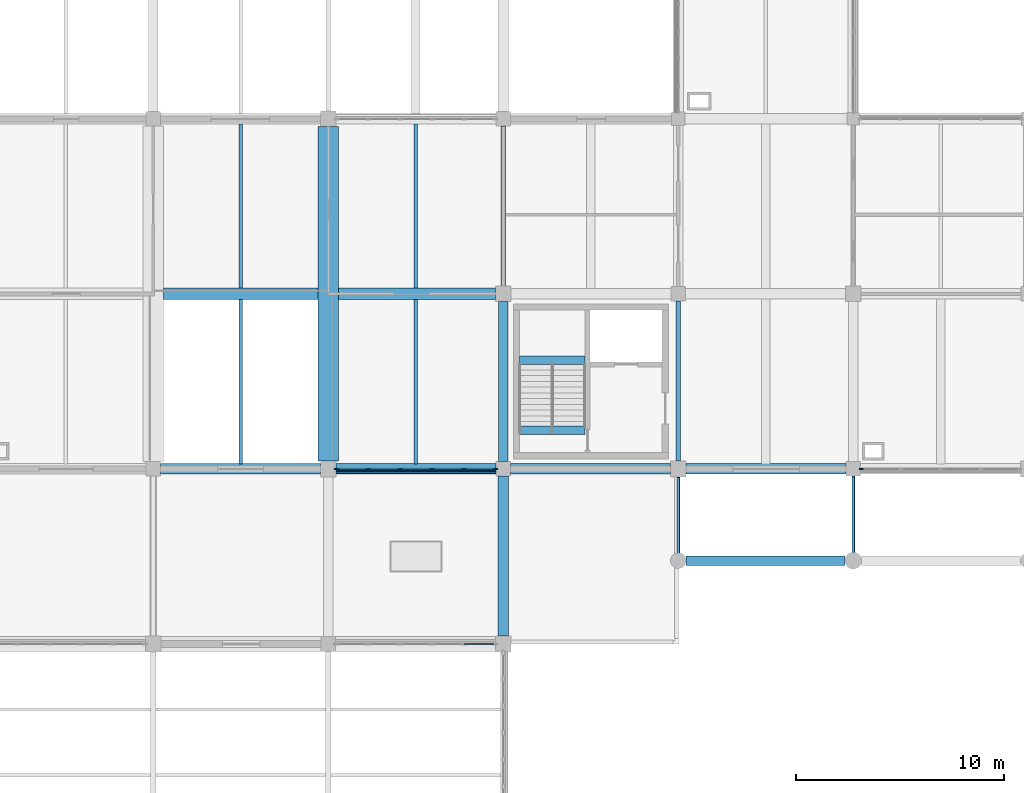
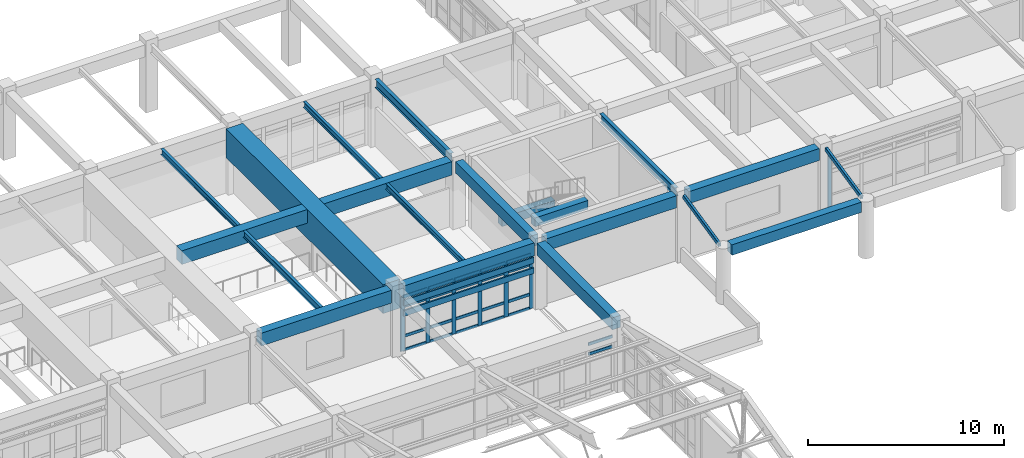
# One storey, part 19 of 99: 33 members, 18 beams, 3 elements without a shape of their own.
"""IFC4 building model written with IfcOpenShell, lengths in metres."""

from ifc_helpers import new_model, si_unit, direction, frame, origin, origin_2d, place, context, subcontext, project, spatial, rectangle, hollow_rectangle, i_section, extrude, material, layer, layer_set, material_profile, profile_set, type_object, element, aggregate, save


model = new_model("IFC4")

# Units and contexts
model_context = context("Model", 3, precision=1e-05, world=origin(), true_north=direction((0.0, 1.0)))
body_context = subcontext(model_context, "Body", "Model", "MODEL_VIEW")
ifc_project = project(units=[si_unit("LENGTHUNIT", "METRE"), si_unit("AREAUNIT", "SQUARE_METRE"), si_unit("VOLUMEUNIT", "CUBIC_METRE"), si_unit("PLANEANGLEUNIT", "RADIAN"), si_unit("MASSUNIT", "GRAM", prefix="KILO")], contexts=[model_context])

# Site, building, storey
site_placement = place(None, origin())
site = spatial("IfcSite", under=ifc_project, at=site_placement, CompositionType="ELEMENT")
building_placement = place(site_placement, origin())
building = spatial("IfcBuilding", under=site, at=building_placement, Name="Porcellanite Civic Hall", CompositionType="ELEMENT")
storey_placement = place(building_placement, frame((0.0, 0.0, 5.760009765625)))
storey = spatial("IfcBuildingStorey", under=building, at=storey_placement, Name="L01", CompositionType="ELEMENT", Elevation=5.760009765625)

# Beams
ifc_material_1 = material(Name="Concrete N50 (50 MPa)", Category="concrete")
ifc_material_profile_1 = material_profile(ifc_material_1, rectangle(XDim=0.39990234375, YDim=0.550048828125, at=origin_2d()), Name="RC-400x550")
ifc_profile_set_1 = profile_set([ifc_material_profile_1], Name="Concrete N50 (50 MPa)")
beam_type_1 = type_object("IfcBeamType", Name="BM-RC550", PredefinedType="JOIST", material=ifc_profile_set_1)
for number, where, z_axis, x_axis, name in (
    (1, (109.98046875, 55.625, 1.885009765625), (1.0, 0.0, 0.0), (0.0, 1.0, 0.0), "Stair landing beam C6 L01"),
    (2, (109.98046875, 52.25, 3.925048828125), (1.0, 0.0, 0.0), (0.0, 1.0, 0.0), "Stair header beam C6 L01"),
):
    element("IfcBeam", number, at=place(storey_placement, frame(where, z_axis=z_axis, x_axis=x_axis)), inside=storey, type_object=beam_type_1, Name=name, PredefinedType="JOIST", context=body_context, shape_type="SweptSolid", body=[
        extrude(rectangle(XDim=0.39990234375, YDim=0.550048828125, at=origin_2d()), origin(), (0.0, 0.0, 1.0), 3.138916015625),
    ])
ifc_material_2 = material(Name="Concrete N50 (50 MPa)", Category="concrete")
ifc_material_profile_2 = material_profile(ifc_material_2, rectangle(XDim=0.449951171875, YDim=0.64990234375, at=origin_2d()), Name="RC-450x650")
ifc_profile_set_2 = profile_set([ifc_material_profile_2], Name="Concrete N50 (50 MPa)")
beam_type_2 = type_object("IfcBeamType", Name="BM-RC650", PredefinedType="SPANDREL", material=ifc_profile_set_2)
beam_1_placement = place(storey_placement, frame((117.974609375, 46.0, 3.205078125), z_axis=(1.0, 0.0, 0.0), x_axis=(0.0, 1.0, 0.0)))
element("IfcBeam", 3, at=beam_1_placement, inside=storey, type_object=beam_type_2, Name="Colonnade keystone beam L01 COL-NE-P01", PredefinedType="SPANDREL", context=body_context, shape_type="SweptSolid", body=[
    extrude(rectangle(XDim=0.449951171875, YDim=0.64990234375, at=origin_2d()), origin(), (0.0, 0.0, 1.0), 7.6259765625),
])
ifc_material_3 = material(Name="Concrete N50 (50 MPa)", Category="concrete")
ifc_material_profile_3 = material_profile(ifc_material_3, rectangle(XDim=0.449951171875, YDim=0.699951171875, at=origin_2d()), Name="RC-450x700")
ifc_profile_set_3 = profile_set([ifc_material_profile_3], Name="Concrete N50 (50 MPa)")
beam_type_3 = type_object("IfcBeamType", Name="BM-RC700", PredefinedType="BEAM", material=ifc_profile_set_3)
beam_2_placement = place(storey_placement, frame((109.199951171875, 50.74951171875, 3.85009765625), z_axis=(0.0, 1.0, 0.0), x_axis=(-1.0, 0.0, 0.0)))
element("IfcBeam", 4, at=beam_2_placement, inside=storey, type_object=beam_type_3, Name="Beam Y L01 14-7", PredefinedType="BEAM", context=body_context, shape_type="SweptSolid", body=[
    extrude(rectangle(XDim=0.449951171875, YDim=0.699951171875, at=origin_2d()), origin(), (0.0, 0.0, 1.0), 7.676025390625),
])
ifc_material_4 = material(Name="Concrete N50 (50 MPa)", Category="concrete")
ifc_material_profile_4 = material_profile(ifc_material_4, rectangle(XDim=0.5, YDim=0.75, at=origin_2d()), Name="RC-500x750")
ifc_profile_set_4 = profile_set([ifc_material_profile_4], Name="Concrete N50 (50 MPa)")
beam_type_4 = type_object("IfcBeamType", Name="BM-RC750", PredefinedType="SPANDREL", material=ifc_profile_set_4)
beam_3_placement = place(storey_placement, frame((109.549560546875, 50.39990234375, 3.824951171875), z_axis=(1.0, 0.0, 0.0), x_axis=(0.0, 1.0, 0.0)))
element("IfcBeam", 5, at=beam_3_placement, inside=storey, type_object=beam_type_4, Name="Beam X L01 14-7", PredefinedType="SPANDREL", context=body_context, shape_type="SweptSolid", body=[
    extrude(rectangle(XDim=0.5, YDim=0.75, at=origin_2d()), origin(), (0.0, 0.0, 1.0), 7.676025390625),
])
beam_4_placement = place(storey_placement, frame((117.974609375, 50.39990234375, 3.824951171875), z_axis=(1.0, 0.0, 0.0), x_axis=(0.0, 1.0, 0.0)))
element("IfcBeam", 6, at=beam_4_placement, inside=storey, type_object=beam_type_4, Name="Beam X L01 15-7", PredefinedType="SPANDREL", context=body_context, shape_type="SweptSolid", body=[
    extrude(rectangle(XDim=0.5, YDim=0.75, at=origin_2d()), origin(), (0.0, 0.0, 1.0), 7.67578125),
])
beam_5_placement = place(storey_placement, frame((109.199951171875, 42.37451171875, 3.824951171875), z_axis=(0.0, 1.0, 0.0), x_axis=(-1.0, 0.0, 0.0)))
element("IfcBeam", 7, at=beam_5_placement, inside=storey, type_object=beam_type_4, Name="Beam Y L01 14-6", PredefinedType="SPANDREL", context=body_context, shape_type="SweptSolid", body=[
    extrude(rectangle(XDim=0.5, YDim=0.75, at=origin_2d()), origin(), (0.0, 0.0, 1.0), 7.676025390625),
])
ifc_material_5 = material(Name="Concrete N50 (50 MPa)", Category="concrete")
ifc_material_profile_5 = material_profile(ifc_material_5, rectangle(XDim=0.5, YDim=0.800048828125, at=origin_2d()), Name="RC-500x800")
ifc_profile_set_5 = profile_set([ifc_material_profile_5], Name="Concrete N50 (50 MPa)")
beam_type_5 = type_object("IfcBeamType", Name="BM-RC800", PredefinedType="BEAM", material=ifc_profile_set_5)
for number, where, z_axis, x_axis, name in (
    (8, (92.74951171875, 50.39990234375, 3.800048828125), (1.0, 0.0, 0.0), (0.0, 1.0, 0.0), "Beam X L01 12-7"),
    (9, (101.174560546875, 50.39990234375, 3.800048828125), (1.0, 0.0, 0.0), (0.0, 1.0, 0.0), "Beam X L01 13-7"),
):
    element("IfcBeam", number, at=place(storey_placement, frame(where, z_axis=z_axis, x_axis=x_axis)), inside=storey, type_object=beam_type_5, Name=name, PredefinedType="BEAM", context=body_context, shape_type="SweptSolid", body=[
        extrude(rectangle(XDim=0.5, YDim=0.800048828125, at=origin_2d()), origin(), (0.0, 0.0, 1.0), 7.676025390625),
    ])
ifc_material_6 = material(Name="Concrete N50 (50 MPa)", Category="concrete")
ifc_material_profile_6 = material_profile(ifc_material_6, rectangle(XDim=0.550048828125, YDim=0.85009765625, at=origin_2d()), Name="RC-550x850")
ifc_profile_set_6 = profile_set([ifc_material_profile_6], Name="Concrete N50 (50 MPa)")
beam_type_6 = type_object("IfcBeamType", Name="BM-RC850", PredefinedType="BEAM", material=ifc_profile_set_6)
beam_6_placement = place(storey_placement, frame((92.8994140625, 58.800048828125, 3.77490234375), z_axis=(1.0, 0.0, 0.0), x_axis=(0.0, 1.0, 0.0)))
element("IfcBeam", 10, at=beam_6_placement, inside=storey, type_object=beam_type_6, Name="Transfer tie beam 11", PredefinedType="BEAM", context=body_context, shape_type="SweptSolid", body=[
    extrude(rectangle(XDim=0.550048828125, YDim=0.85009765625, at=origin_2d()), origin(), (0.0, 0.0, 1.0), 7.401123046875),
])
beam_7_placement = place(storey_placement, frame((101.299560546875, 58.800048828125, 3.77490234375), z_axis=(1.0, 0.0, 0.0), x_axis=(0.0, 1.0, 0.0)))
element("IfcBeam", 11, at=beam_7_placement, inside=storey, type_object=beam_type_6, Name="Transfer tie beam 12", PredefinedType="BEAM", context=body_context, shape_type="SweptSolid", body=[
    extrude(rectangle(XDim=0.550048828125, YDim=0.85009765625, at=origin_2d()), origin(), (0.0, 0.0, 1.0), 7.52587890625),
])

# Curtain wall, members
ifc_material_7 = material(Name="Anodised aluminium and solar laminated glass", Category="aluminium")
ifc_layer_1 = layer(ifc_material_7, 0.179931640625)
ifc_layer_set_1 = layer_set([ifc_layer_1], Name="Anodised aluminium and solar laminated glass")
curtain_wall_type_1 = type_object("IfcCurtainWallType", Name="CW-SYS01", PredefinedType="NOTDEFINED", material=ifc_layer_set_1)
curtain_wall_1_placement = place(storey_placement, origin())
curtain_wall_1 = element("IfcCurtainWall", 12, at=curtain_wall_1_placement, inside=storey, type_object=curtain_wall_type_1, Name="Curtain wall CW-102", PredefinedType="NOTDEFINED")
ifc_material_8 = material(Name="Anodised aluminium 6063-T6", Category="aluminium")
ifc_material_profile_7 = material_profile(ifc_material_8, rectangle(XDim=0.080078125, YDim=0.239990234375, at=origin_2d()), Name="AL-80x240")
ifc_profile_set_7 = profile_set([ifc_material_profile_7], Name="Anodised aluminium 6063-T6")
member_type_1 = type_object("IfcMemberType", Name="CWM-01", PredefinedType="MULLION", material=ifc_profile_set_7)
member_1_placement = place(storey_placement, frame((108.80908203125, 50.39990234375, 0.0), z_axis=(0.0, 0.0, 1.0), x_axis=(0.0, -1.0, 0.0)))
member_1 = element("IfcMember", 13, at=member_1_placement, type_object=member_type_1, Name="CW-102 mullion 1", PredefinedType="MULLION", context=body_context, shape_type="SweptSolid", body=[
    extrude(rectangle(XDim=0.080078125, YDim=0.239990234375, at=origin_2d()), origin(), (0.0, 0.0, 1.0), 3.39990234375),
])
member_2_placement = place(storey_placement, frame((107.314453125, 50.39990234375, 0.0), z_axis=(0.0, 0.0, 1.0), x_axis=(0.0, -1.0, 0.0)))
member_2 = element("IfcMember", 14, at=member_2_placement, type_object=member_type_1, Name="CW-102 mullion 2", PredefinedType="MULLION", context=body_context, shape_type="SweptSolid", body=[
    extrude(rectangle(XDim=0.080078125, YDim=0.239990234375, at=origin_2d()), origin(), (0.0, 0.0, 1.0), 3.39990234375),
])
member_3_placement = place(storey_placement, frame((105.77978515625, 50.39990234375, 0.0), z_axis=(0.0, 0.0, 1.0), x_axis=(0.0, -1.0, 0.0)))
member_3 = element("IfcMember", 15, at=member_3_placement, type_object=member_type_1, Name="CW-102 mullion 3", PredefinedType="MULLION", context=body_context, shape_type="SweptSolid", body=[
    extrude(rectangle(XDim=0.080078125, YDim=0.239990234375, at=origin_2d()), origin(), (0.0, 0.0, 1.0), 3.39990234375),
])
member_4_placement = place(storey_placement, frame((104.2451171875, 50.39990234375, 0.0), z_axis=(0.0, 0.0, 1.0), x_axis=(0.0, -1.0, 0.0)))
member_4 = element("IfcMember", 16, at=member_4_placement, type_object=member_type_1, Name="CW-102 mullion 4", PredefinedType="MULLION", context=body_context, shape_type="SweptSolid", body=[
    extrude(rectangle(XDim=0.080078125, YDim=0.239990234375, at=origin_2d()), origin(), (0.0, 0.0, 1.0), 3.39990234375),
])
member_5_placement = place(storey_placement, frame((102.710693359375, 50.39990234375, 0.0), z_axis=(0.0, 0.0, 1.0), x_axis=(0.0, -1.0, 0.0)))
member_5 = element("IfcMember", 17, at=member_5_placement, type_object=member_type_1, Name="CW-102 mullion 5", PredefinedType="MULLION", context=body_context, shape_type="SweptSolid", body=[
    extrude(rectangle(XDim=0.080078125, YDim=0.239990234375, at=origin_2d()), origin(), (0.0, 0.0, 1.0), 3.39990234375),
])
member_6_placement = place(storey_placement, frame((101.216064453125, 50.39990234375, 0.0), z_axis=(0.0, 0.0, 1.0), x_axis=(0.0, -1.0, 0.0)))
member_6 = element("IfcMember", 18, at=member_6_placement, type_object=member_type_1, Name="CW-102 mullion 6", PredefinedType="MULLION", context=body_context, shape_type="SweptSolid", body=[
    extrude(rectangle(XDim=0.080078125, YDim=0.239990234375, at=origin_2d()), origin(), (0.0, 0.0, 1.0), 3.39990234375),
])

# Curtain wall, member
ifc_material_9 = material(Name="Anodised aluminium and solar laminated glass", Category="aluminium")
ifc_layer_2 = layer(ifc_material_9, 0.179931640625)
ifc_layer_set_2 = layer_set([ifc_layer_2], Name="Anodised aluminium and solar laminated glass")
curtain_wall_type_2 = type_object("IfcCurtainWallType", Name="CW-SYS04", PredefinedType="NOTDEFINED", material=ifc_layer_set_2)
curtain_wall_2_placement = place(storey_placement, origin())
curtain_wall_2 = element("IfcCurtainWall", 19, at=curtain_wall_2_placement, inside=storey, type_object=curtain_wall_type_2, Name="Curtain wall CW-115", PredefinedType="NOTDEFINED")
ifc_material_10 = material(Name="Anodised aluminium 6063-T6", Category="aluminium")
ifc_material_profile_8 = material_profile(ifc_material_10, rectangle(XDim=0.074951171875, YDim=0.18994140625, at=origin_2d()), Name="AL-75x190")
ifc_profile_set_8 = profile_set([ifc_material_profile_8], Name="Anodised aluminium 6063-T6")
member_type_2 = type_object("IfcMemberType", Name="CWM-04", PredefinedType="MULLION", material=ifc_profile_set_8)
member_7_placement = place(storey_placement, frame((126.388427734375, 50.39990234375, 0.0), z_axis=(0.0, 0.0, 1.0), x_axis=(0.0, -1.0, 0.0)))
member_7 = element("IfcMember", 20, at=member_7_placement, type_object=member_type_2, Name="CW-115 mullion 5", PredefinedType="MULLION", context=body_context, shape_type="SweptSolid", body=[
    extrude(rectangle(XDim=0.074951171875, YDim=0.18994140625, at=origin_2d()), origin(), (0.0, 0.0, 1.0), 3.39990234375),
])
aggregate(curtain_wall_2, [member_7])

# Curtain wall, members
curtain_wall_3_placement = place(storey_placement, origin())
curtain_wall_3 = element("IfcCurtainWall", 21, at=curtain_wall_3_placement, inside=storey, type_object=curtain_wall_type_1, Name="Curtain wall CW-100", PredefinedType="NOTDEFINED")
ifc_material_11 = material(Name="Anodised aluminium 6063-T6", Category="aluminium")
ifc_material_profile_9 = material_profile(ifc_material_11, rectangle(XDim=0.070068359375, YDim=0.175048828125, at=origin_2d()), Name="AL-70x175")
ifc_profile_set_9 = profile_set([ifc_material_profile_9], Name="Anodised aluminium 6063-T6")
member_type_3 = type_object("IfcMemberType", Name="CWT-01", PredefinedType="USERDEFINED", material=ifc_profile_set_9)
member_8_placement = place(storey_placement, frame((107.329345703125, 42.0, 2.75), z_axis=(1.0, 0.0, 0.0), x_axis=(0.0, 1.0, 0.0)))
member_8 = element("IfcMember", 22, at=member_8_placement, type_object=member_type_3, Name="CW-100 transom 5.3", ObjectType="TRANSOM", PredefinedType="USERDEFINED", context=body_context, shape_type="SweptSolid", body=[
    extrude(rectangle(XDim=0.070068359375, YDim=0.175048828125, at=origin_2d()), origin(), (0.0, 0.0, 1.0), 1.41455078125),
])
member_9_placement = place(storey_placement, frame((107.329345703125, 42.0, 3.364990234375), z_axis=(1.0, 0.0, 0.0), x_axis=(0.0, 1.0, 0.0)))
member_9 = element("IfcMember", 23, at=member_9_placement, type_object=member_type_3, Name="CW-100 transom 5.4", ObjectType="TRANSOM", PredefinedType="USERDEFINED", context=body_context, shape_type="SweptSolid", body=[
    extrude(rectangle(XDim=0.070068359375, YDim=0.175048828125, at=origin_2d()), origin(), (0.0, 0.0, 1.0), 1.41455078125),
])
aggregate(curtain_wall_3, [member_8, member_9])

# Member
member_10_placement = place(storey_placement, frame((108.76904296875, 50.39990234375, 0.034912109375), z_axis=(-1.0, 0.0, 0.0), x_axis=(0.0, -1.0, 0.0)))
member_10 = element("IfcMember", 24, at=member_10_placement, type_object=member_type_3, Name="CW-102 transom 1.1", ObjectType="TRANSOM", PredefinedType="USERDEFINED", context=body_context, shape_type="SweptSolid", body=[
    extrude(rectangle(XDim=0.070068359375, YDim=0.175048828125, at=origin_2d()), origin(), (0.0, 0.0, 1.0), 1.41455078125),
])

member_11_placement = place(storey_placement, frame((108.76904296875, 50.39990234375, 0.89990234375), z_axis=(-1.0, 0.0, 0.0), x_axis=(0.0, -1.0, 0.0)))
member_11 = element("IfcMember", 25, at=member_11_placement, type_object=member_type_3, Name="CW-102 transom 1.2", ObjectType="TRANSOM", PredefinedType="USERDEFINED", context=body_context, shape_type="SweptSolid", body=[
    extrude(rectangle(XDim=0.070068359375, YDim=0.175048828125, at=origin_2d()), origin(), (0.0, 0.0, 1.0), 1.41455078125),
])

member_12_placement = place(storey_placement, frame((108.76904296875, 50.39990234375, 2.75), z_axis=(-1.0, 0.0, 0.0), x_axis=(0.0, -1.0, 0.0)))
member_12 = element("IfcMember", 26, at=member_12_placement, type_object=member_type_3, Name="CW-102 transom 1.3", ObjectType="TRANSOM", PredefinedType="USERDEFINED", context=body_context, shape_type="SweptSolid", body=[
    extrude(rectangle(XDim=0.070068359375, YDim=0.175048828125, at=origin_2d()), origin(), (0.0, 0.0, 1.0), 1.41455078125),
])

member_13_placement = place(storey_placement, frame((108.76904296875, 50.39990234375, 3.364990234375), z_axis=(-1.0, 0.0, 0.0), x_axis=(0.0, -1.0, 0.0)))
member_13 = element("IfcMember", 27, at=member_13_placement, type_object=member_type_3, Name="CW-102 transom 1.4", ObjectType="TRANSOM", PredefinedType="USERDEFINED", context=body_context, shape_type="SweptSolid", body=[
    extrude(rectangle(XDim=0.070068359375, YDim=0.175048828125, at=origin_2d()), origin(), (0.0, 0.0, 1.0), 1.41455078125),
])

member_14_placement = place(storey_placement, frame((107.2744140625, 50.39990234375, 0.034912109375), z_axis=(-1.0, 0.0, 0.0), x_axis=(0.0, -1.0, 0.0)))
member_14 = element("IfcMember", 28, at=member_14_placement, type_object=member_type_3, Name="CW-102 transom 2.1", ObjectType="TRANSOM", PredefinedType="USERDEFINED", context=body_context, shape_type="SweptSolid", body=[
    extrude(rectangle(XDim=0.070068359375, YDim=0.175048828125, at=origin_2d()), origin(), (0.0, 0.0, 1.0), 1.45458984375),
])

member_15_placement = place(storey_placement, frame((107.2744140625, 50.39990234375, 0.89990234375), z_axis=(-1.0, 0.0, 0.0), x_axis=(0.0, -1.0, 0.0)))
member_15 = element("IfcMember", 29, at=member_15_placement, type_object=member_type_3, Name="CW-102 transom 2.2", ObjectType="TRANSOM", PredefinedType="USERDEFINED", context=body_context, shape_type="SweptSolid", body=[
    extrude(rectangle(XDim=0.070068359375, YDim=0.175048828125, at=origin_2d()), origin(), (0.0, 0.0, 1.0), 1.45458984375),
])

member_16_placement = place(storey_placement, frame((107.2744140625, 50.39990234375, 2.75), z_axis=(-1.0, 0.0, 0.0), x_axis=(0.0, -1.0, 0.0)))
member_16 = element("IfcMember", 30, at=member_16_placement, type_object=member_type_3, Name="CW-102 transom 2.3", ObjectType="TRANSOM", PredefinedType="USERDEFINED", context=body_context, shape_type="SweptSolid", body=[
    extrude(rectangle(XDim=0.070068359375, YDim=0.175048828125, at=origin_2d()), origin(), (0.0, 0.0, 1.0), 1.45458984375),
])

member_17_placement = place(storey_placement, frame((107.2744140625, 50.39990234375, 3.364990234375), z_axis=(-1.0, 0.0, 0.0), x_axis=(0.0, -1.0, 0.0)))
member_17 = element("IfcMember", 31, at=member_17_placement, type_object=member_type_3, Name="CW-102 transom 2.4", ObjectType="TRANSOM", PredefinedType="USERDEFINED", context=body_context, shape_type="SweptSolid", body=[
    extrude(rectangle(XDim=0.070068359375, YDim=0.175048828125, at=origin_2d()), origin(), (0.0, 0.0, 1.0), 1.45458984375),
])

member_18_placement = place(storey_placement, frame((105.73974609375, 50.39990234375, 0.034912109375), z_axis=(-1.0, 0.0, 0.0), x_axis=(0.0, -1.0, 0.0)))
member_18 = element("IfcMember", 32, at=member_18_placement, type_object=member_type_3, Name="CW-102 transom 3.1", ObjectType="TRANSOM", PredefinedType="USERDEFINED", context=body_context, shape_type="SweptSolid", body=[
    extrude(rectangle(XDim=0.070068359375, YDim=0.175048828125, at=origin_2d()), origin(), (0.0, 0.0, 1.0), 1.45458984375),
])

member_19_placement = place(storey_placement, frame((105.73974609375, 50.39990234375, 0.89990234375), z_axis=(-1.0, 0.0, 0.0), x_axis=(0.0, -1.0, 0.0)))
member_19 = element("IfcMember", 33, at=member_19_placement, type_object=member_type_3, Name="CW-102 transom 3.2", ObjectType="TRANSOM", PredefinedType="USERDEFINED", context=body_context, shape_type="SweptSolid", body=[
    extrude(rectangle(XDim=0.070068359375, YDim=0.175048828125, at=origin_2d()), origin(), (0.0, 0.0, 1.0), 1.45458984375),
])

member_20_placement = place(storey_placement, frame((105.73974609375, 50.39990234375, 2.75), z_axis=(-1.0, 0.0, 0.0), x_axis=(0.0, -1.0, 0.0)))
member_20 = element("IfcMember", 34, at=member_20_placement, type_object=member_type_3, Name="CW-102 transom 3.3", ObjectType="TRANSOM", PredefinedType="USERDEFINED", context=body_context, shape_type="SweptSolid", body=[
    extrude(rectangle(XDim=0.070068359375, YDim=0.175048828125, at=origin_2d()), origin(), (0.0, 0.0, 1.0), 1.45458984375),
])

member_21_placement = place(storey_placement, frame((105.73974609375, 50.39990234375, 3.364990234375), z_axis=(-1.0, 0.0, 0.0), x_axis=(0.0, -1.0, 0.0)))
member_21 = element("IfcMember", 35, at=member_21_placement, type_object=member_type_3, Name="CW-102 transom 3.4", ObjectType="TRANSOM", PredefinedType="USERDEFINED", context=body_context, shape_type="SweptSolid", body=[
    extrude(rectangle(XDim=0.070068359375, YDim=0.175048828125, at=origin_2d()), origin(), (0.0, 0.0, 1.0), 1.45458984375),
])

member_22_placement = place(storey_placement, frame((104.205078125, 50.39990234375, 0.034912109375), z_axis=(-1.0, 0.0, 0.0), x_axis=(0.0, -1.0, 0.0)))
member_22 = element("IfcMember", 36, at=member_22_placement, type_object=member_type_3, Name="CW-102 transom 4.1", ObjectType="TRANSOM", PredefinedType="USERDEFINED", context=body_context, shape_type="SweptSolid", body=[
    extrude(rectangle(XDim=0.070068359375, YDim=0.175048828125, at=origin_2d()), origin(), (0.0, 0.0, 1.0), 1.45458984375),
])

member_23_placement = place(storey_placement, frame((104.205078125, 50.39990234375, 0.89990234375), z_axis=(-1.0, 0.0, 0.0), x_axis=(0.0, -1.0, 0.0)))
member_23 = element("IfcMember", 37, at=member_23_placement, type_object=member_type_3, Name="CW-102 transom 4.2", ObjectType="TRANSOM", PredefinedType="USERDEFINED", context=body_context, shape_type="SweptSolid", body=[
    extrude(rectangle(XDim=0.070068359375, YDim=0.175048828125, at=origin_2d()), origin(), (0.0, 0.0, 1.0), 1.45458984375),
])

member_24_placement = place(storey_placement, frame((104.205078125, 50.39990234375, 2.75), z_axis=(-1.0, 0.0, 0.0), x_axis=(0.0, -1.0, 0.0)))
member_24 = element("IfcMember", 38, at=member_24_placement, type_object=member_type_3, Name="CW-102 transom 4.3", ObjectType="TRANSOM", PredefinedType="USERDEFINED", context=body_context, shape_type="SweptSolid", body=[
    extrude(rectangle(XDim=0.070068359375, YDim=0.175048828125, at=origin_2d()), origin(), (0.0, 0.0, 1.0), 1.45458984375),
])

member_25_placement = place(storey_placement, frame((104.205078125, 50.39990234375, 3.364990234375), z_axis=(-1.0, 0.0, 0.0), x_axis=(0.0, -1.0, 0.0)))
member_25 = element("IfcMember", 39, at=member_25_placement, type_object=member_type_3, Name="CW-102 transom 4.4", ObjectType="TRANSOM", PredefinedType="USERDEFINED", context=body_context, shape_type="SweptSolid", body=[
    extrude(rectangle(XDim=0.070068359375, YDim=0.175048828125, at=origin_2d()), origin(), (0.0, 0.0, 1.0), 1.45458984375),
])

member_26_placement = place(storey_placement, frame((102.670654296875, 50.39990234375, 0.034912109375), z_axis=(-1.0, 0.0, 0.0), x_axis=(0.0, -1.0, 0.0)))
member_26 = element("IfcMember", 40, at=member_26_placement, type_object=member_type_3, Name="CW-102 transom 5.1", ObjectType="TRANSOM", PredefinedType="USERDEFINED", context=body_context, shape_type="SweptSolid", body=[
    extrude(rectangle(XDim=0.070068359375, YDim=0.175048828125, at=origin_2d()), origin(), (0.0, 0.0, 1.0), 1.41455078125),
])

member_27_placement = place(storey_placement, frame((102.670654296875, 50.39990234375, 0.89990234375), z_axis=(-1.0, 0.0, 0.0), x_axis=(0.0, -1.0, 0.0)))
member_27 = element("IfcMember", 41, at=member_27_placement, type_object=member_type_3, Name="CW-102 transom 5.2", ObjectType="TRANSOM", PredefinedType="USERDEFINED", context=body_context, shape_type="SweptSolid", body=[
    extrude(rectangle(XDim=0.070068359375, YDim=0.175048828125, at=origin_2d()), origin(), (0.0, 0.0, 1.0), 1.41455078125),
])

member_28_placement = place(storey_placement, frame((102.670654296875, 50.39990234375, 2.75), z_axis=(-1.0, 0.0, 0.0), x_axis=(0.0, -1.0, 0.0)))
member_28 = element("IfcMember", 42, at=member_28_placement, type_object=member_type_3, Name="CW-102 transom 5.3", ObjectType="TRANSOM", PredefinedType="USERDEFINED", context=body_context, shape_type="SweptSolid", body=[
    extrude(rectangle(XDim=0.070068359375, YDim=0.175048828125, at=origin_2d()), origin(), (0.0, 0.0, 1.0), 1.41455078125),
])

member_29_placement = place(storey_placement, frame((102.670654296875, 50.39990234375, 3.364990234375), z_axis=(-1.0, 0.0, 0.0), x_axis=(0.0, -1.0, 0.0)))
member_29 = element("IfcMember", 43, at=member_29_placement, type_object=member_type_3, Name="CW-102 transom 5.4", ObjectType="TRANSOM", PredefinedType="USERDEFINED", context=body_context, shape_type="SweptSolid", body=[
    extrude(rectangle(XDim=0.070068359375, YDim=0.175048828125, at=origin_2d()), origin(), (0.0, 0.0, 1.0), 1.41455078125),
])

aggregate(curtain_wall_1, [member_1, member_2, member_3, member_4, member_5, member_6, member_10, member_11, member_12, member_13, member_14, member_15, member_16, member_17, member_18, member_19, member_20, member_21, member_22, member_23, member_24, member_25, member_26, member_27, member_28, member_29])

# Beams
ifc_material_12 = material(Name="Steel Grade 350", Category="steel")
ifc_material_profile_10 = material_profile(ifc_material_12, i_section(OverallWidth=0.1708984375, OverallDepth=0.35595703125, WebThickness=0.00732421875, FlangeThickness=0.011474609375, FilletRadius=0.011474609375, at=origin_2d()), Name="360UB50.7")
ifc_profile_set_10 = profile_set([ifc_material_profile_10], Name="Steel Grade 350")
beam_type_7 = type_object("IfcBeamType", Name="JST-360UB51", PredefinedType="JOIST", material=ifc_profile_set_10)
beam_8_placement = place(storey_placement, frame((105.0, 59.074462890625, 4.02197265625), z_axis=(0.0, 1.0, 0.0), x_axis=(-1.0, 0.0, 0.0)))
element("IfcBeam", 44, at=beam_8_placement, inside=storey, type_object=beam_type_7, Name="Secondary joist L01 13-8", PredefinedType="JOIST", context=body_context, shape_type="SweptSolid", body=[
    extrude(i_section(OverallWidth=0.1708984375, OverallDepth=0.35595703125, WebThickness=0.00732421875, FlangeThickness=0.011474609375, FilletRadius=0.011474609375, at=origin_2d()), origin(), (0.0, 0.0, 1.0), 7.8759765625),
])
ifc_material_13 = material(Name="Steel Grade 350", Category="steel")
ifc_material_profile_11 = material_profile(ifc_material_13, i_section(OverallWidth=0.172119140625, OverallDepth=0.35888671875, WebThickness=0.008056640625, FlangeThickness=0.012939453125, FilletRadius=0.011474609375, at=origin_2d()), Name="360UB56.7")
ifc_profile_set_11 = profile_set([ifc_material_profile_11], Name="Steel Grade 350")
beam_type_8 = type_object("IfcBeamType", Name="JST-360UB57", PredefinedType="JOIST", material=ifc_profile_set_11)
for number, where, z_axis, x_axis, name in (
    (45, (96.60009765625, 59.074462890625, 4.0205078125), (0.0, 1.0, 0.0), (-1.0, 0.0, 0.0), "Secondary joist L01 12-8"),
    (46, (105.0, 50.6494140625, 4.0205078125), (0.0, 1.0, 0.0), (-1.0, 0.0, 0.0), "Secondary joist L01 13-7"),
):
    element("IfcBeam", number, at=place(storey_placement, frame(where, z_axis=z_axis, x_axis=x_axis)), inside=storey, type_object=beam_type_8, Name=name, PredefinedType="JOIST", context=body_context, shape_type="SweptSolid", body=[
        extrude(i_section(OverallWidth=0.172119140625, OverallDepth=0.35888671875, WebThickness=0.008056640625, FlangeThickness=0.012939453125, FilletRadius=0.011474609375, at=origin_2d()), origin(), (0.0, 0.0, 1.0), 7.8759765625),
    ])
ifc_material_14 = material(Name="Steel Grade 350", Category="steel")
ifc_material_profile_12 = material_profile(ifc_material_14, i_section(OverallWidth=0.177978515625, OverallDepth=0.403076171875, WebThickness=0.007568359375, FlangeThickness=0.010986328125, FilletRadius=0.011474609375, at=origin_2d()), Name="410UB53.7")
ifc_profile_set_12 = profile_set([ifc_material_profile_12], Name="Steel Grade 350")
beam_type_9 = type_object("IfcBeamType", Name="JST-410UB54", PredefinedType="JOIST", material=ifc_profile_set_12)
beam_9_placement = place(storey_placement, frame((96.60009765625, 50.6494140625, 3.99853515625), z_axis=(0.0, 1.0, 0.0), x_axis=(-1.0, 0.0, 0.0)))
element("IfcBeam", 47, at=beam_9_placement, inside=storey, type_object=beam_type_9, Name="Secondary joist L01 12-7", PredefinedType="JOIST", context=body_context, shape_type="SweptSolid", body=[
    extrude(i_section(OverallWidth=0.177978515625, OverallDepth=0.403076171875, WebThickness=0.007568359375, FlangeThickness=0.010986328125, FilletRadius=0.011474609375, at=origin_2d()), origin(), (0.0, 0.0, 1.0), 7.8759765625),
])

# Members
ifc_material_15 = material(Name="Fluoropolymer bauxite-red aluminium 6063-T6", Category="aluminium")
ifc_material_profile_13 = material_profile(ifc_material_15, rectangle(XDim=0.090087890625, YDim=0.360107421875, at=origin_2d()), Name="AL-90x360")
ifc_profile_set_13 = profile_set([ifc_material_profile_13], Name="Fluoropolymer bauxite-red aluminium 6063-T6")
member_type_4 = type_object("IfcMemberType", Name="LV-BLD01", PredefinedType="USERDEFINED", material=ifc_profile_set_13)
for number, where, z_axis, x_axis, name in (
    (48, (108.8505859375, 50.23291015625, 3.10009765625), (-1.0, 0.0, 0.0), (0.0, -1.0, 0.0), "Cyclone sunshade louvre L01 S 12-6 1"),
    (49, (108.8505859375, 50.23291015625, 2.449951171875), (-1.0, 0.0, 0.0), (0.0, -1.0, 0.0), "Cyclone sunshade louvre L01 S 12-6 2"),
):
    element("IfcMember", number, at=place(storey_placement, frame(where, z_axis=z_axis, x_axis=x_axis)), inside=storey, type_object=member_type_4, Name=name, ObjectType="LOUVRE BLADE", PredefinedType="USERDEFINED", context=body_context, shape_type="SweptSolid", body=[
        extrude(rectangle(XDim=0.090087890625, YDim=0.360107421875, at=origin_2d()), origin(), (0.0, 0.0, 1.0), 7.676025390625),
    ])

# Beams
ifc_material_16 = material(Name="Steel Grade 350", Category="steel")
ifc_material_profile_14 = material_profile(ifc_material_16, i_section(OverallWidth=0.208984375, OverallDepth=0.528076171875, WebThickness=0.009521484375, FlangeThickness=0.01318359375, FilletRadius=0.013916015625, at=origin_2d()), Name="530UB82.0")
ifc_profile_set_14 = profile_set([ifc_material_profile_14], Name="Steel Grade 350")
beam_type_10 = type_object("IfcBeamType", Name="RAF-530UB82", PredefinedType="BEAM", material=ifc_profile_set_14)
for number, where, z_axis, x_axis, name in (
    (50, (109.199951171875, 59.174560546875, 3.93603515625), (0.0, 1.0, 0.0), (-1.0, 0.0, 0.0), "Beam Y L01 14-8"),
    (51, (117.60009765625, 50.7744140625, 3.93603515625), (0.0, 1.0, 0.0), (-1.0, 0.0, 0.0), "Beam Y L01 15-7"),
):
    element("IfcBeam", number, at=place(storey_placement, frame(where, z_axis=z_axis, x_axis=x_axis)), inside=storey, type_object=beam_type_10, Name=name, PredefinedType="BEAM", context=body_context, shape_type="SweptSolid", body=[
        extrude(i_section(OverallWidth=0.208984375, OverallDepth=0.528076171875, WebThickness=0.009521484375, FlangeThickness=0.01318359375, FilletRadius=0.013916015625, at=origin_2d()), origin(), (0.0, 0.0, 1.0), 7.676025390625),
    ])

# Members
ifc_material_17 = material(Name="Steel C350L0", Category="steel")
ifc_material_profile_15 = material_profile(ifc_material_17, hollow_rectangle(XDim=0.14990234375, YDim=0.25, WallThickness=0.008056640625, InnerFilletRadius=0.011962890625, OuterFilletRadius=0.02001953125, at=origin_2d()), Name="250x150x8.0RHS")
ifc_profile_set_15 = profile_set([ifc_material_profile_15], Name="Steel C350L0")
member_type_5 = type_object("IfcMemberType", Name="STR-250RHS", PredefinedType="STRUT", material=ifc_profile_set_15)
member_30_placement = place(storey_placement, frame((117.60009765625, 50.025390625, 4.113037109375), z_axis=(0.0, -0.976299069463, -0.216425800138), x_axis=(1.0, 0.0, 0.0)))
element("IfcMember", 52, at=member_30_placement, inside=storey, type_object=member_type_5, Name="Colonnade raker COL-NE-P01", PredefinedType="STRUT", context=body_context, shape_type="SweptSolid", body=[
    extrude(hollow_rectangle(XDim=0.14990234375, YDim=0.25, WallThickness=0.008056640625, InnerFilletRadius=0.011962890625, OuterFilletRadius=0.02001953125, at=origin_2d()), origin(), (0.0, 0.0, 1.0), 3.739501953125),
])
member_31_placement = place(storey_placement, frame((126.0, 50.050537109375, 4.11865234375), z_axis=(0.0, -0.976302127214, -0.216412006133), x_axis=(1.0, 0.0, 0.0)))
element("IfcMember", 53, at=member_31_placement, inside=storey, type_object=member_type_5, Name="Colonnade raker COL-NE-P02", PredefinedType="STRUT", context=body_context, shape_type="SweptSolid", body=[
    extrude(hollow_rectangle(XDim=0.14990234375, YDim=0.25, WallThickness=0.008056640625, InnerFilletRadius=0.011962890625, OuterFilletRadius=0.02001953125, at=origin_2d()), origin(), (0.0, 0.0, 1.0), 3.73974609375),
])

# Beam
ifc_material_18 = material(Name="Concrete N50 (50 MPa)", Category="concrete")
ifc_material_profile_16 = material_profile(ifc_material_18, rectangle(XDim=1.0, YDim=1.800048828125, at=origin_2d()), Name="RC-1000x1800")
ifc_profile_set_16 = profile_set([ifc_material_profile_16], Name="Concrete N50 (50 MPa)")
beam_type_11 = type_object("IfcBeamType", Name="TG-01", PredefinedType="T_BEAM", material=ifc_profile_set_16)
beam_10_placement = place(storey_placement, frame((100.800048828125, 50.7744140625, 3.300048828125), z_axis=(0.0, 1.0, 0.0), x_axis=(-1.0, 0.0, 0.0)))
element("IfcBeam", 54, at=beam_10_placement, inside=storey, type_object=beam_type_11, Name="Chamber transfer girder 12", PredefinedType="T_BEAM", context=body_context, shape_type="SweptSolid", body=[
    extrude(rectangle(XDim=1.0, YDim=1.800048828125, at=origin_2d()), origin(), (0.0, 0.0, 1.0), 16.051025390625),
])

save(model, "model.ifc")
